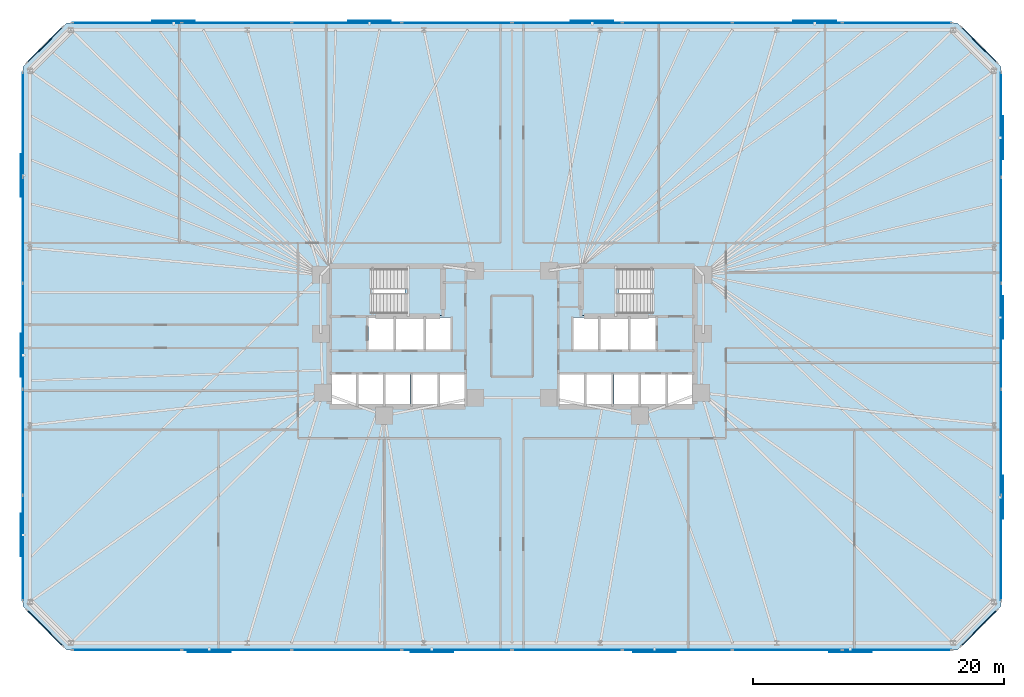
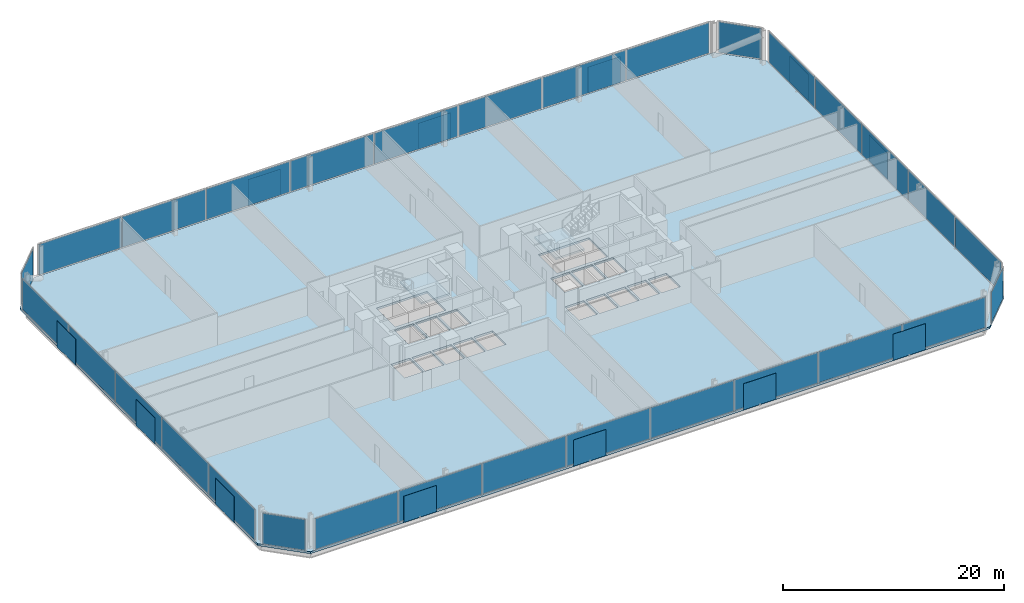
# One storey, part 11 of 17: 44 plates, 3 slabs, 10 elements without a shape of their own.
"""IFC4 building model written with IfcOpenShell, lengths in metres."""

from ifc_helpers import new_model, si_unit, direction, frame, origin, origin_2d, place, context, subcontext, project, spatial, polyline, rectangle, outline, extrude, material, layer, layer_set, type_object, element, aggregate, save


model = new_model("IFC4")

# Units and contexts
model_context = context("Model", 3, precision=1e-05, world=origin(), true_north=direction((0.0, 1.0)))
body_context = subcontext(model_context, "Body", "Model", "MODEL_VIEW")
ifc_project = project(units=[si_unit("LENGTHUNIT", "METRE"), si_unit("AREAUNIT", "SQUARE_METRE"), si_unit("VOLUMEUNIT", "CUBIC_METRE"), si_unit("PLANEANGLEUNIT", "RADIAN"), si_unit("MASSUNIT", "GRAM", prefix="KILO")], contexts=[model_context])

# Site, building, storey
site_placement = place(None, origin())
site = spatial("IfcSite", under=ifc_project, at=site_placement, CompositionType="ELEMENT")
building_placement = place(site_placement, origin())
building = spatial("IfcBuilding", under=site, at=building_placement, Name="Menara Jurai Vektor", CompositionType="ELEMENT")
storey_placement = place(building_placement, frame((0.0, 0.0, 71.199951171875)))
storey = spatial("IfcBuildingStorey", under=building, at=storey_placement, Name="L17", CompositionType="ELEMENT", Elevation=71.199951171875)

# Curtain wall, plates
ifc_material_1 = material(Name="Anodised Pale Aluminium & Low-E Double Glazing", Category="aluminium")
curtain_wall_type = type_object("IfcCurtainWallType", Name="CW-BLK1", PredefinedType="NOTDEFINED", material=ifc_material_1)
curtain_wall_1_placement = place(storey_placement, origin())
curtain_wall_1 = element("IfcCurtainWall", 1, at=curtain_wall_1_placement, inside=storey, type_object=curtain_wall_type, Name="Unitised Curtain Wall L17 F01", PredefinedType="NOTDEFINED")
ifc_material_2 = material(Name="Low-E Solar-Control Double Glazed Unit", Category="glass")
ifc_layer_1 = layer(ifc_material_2, 0.035888671875)
ifc_layer_set_1 = layer_set([ifc_layer_1], Name="Low-E Solar-Control Double Glazed Unit")
plate_type_1 = type_object("IfcPlateType", Name="CW-BLK1-PNL", PredefinedType="CURTAIN_PANEL", material=ifc_layer_set_1)
plate_1_placement = place(storey_placement, frame((-30.706298828125, -25.0, 0.09521484375), z_axis=(0.0, 0.0, 1.0), x_axis=(1.0, 0.0, 0.0)))
plate_1 = element("IfcPlate", 2, at=plate_1_placement, type_object=plate_type_1, Name="CW-01 panel 1.1", PredefinedType="CURTAIN_PANEL", context=body_context, shape_type="SweptSolid", body=[
    extrude(rectangle(XDim=8.637451171875, YDim=0.035888671875, at=origin_2d()), origin(), (0.0, 0.0, 1.0), 3.385009765625),
])
plate_2_placement = place(storey_placement, frame((-21.949951171875, -25.0, 0.09521484375), z_axis=(0.0, 0.0, 1.0), x_axis=(1.0, 0.0, 0.0)))
plate_2 = element("IfcPlate", 3, at=plate_2_placement, type_object=plate_type_1, Name="CW-01 panel 2.1", PredefinedType="CURTAIN_PANEL", context=body_context, shape_type="SweptSolid", body=[
    extrude(rectangle(XDim=8.68505859375, YDim=0.035888671875, at=origin_2d()), origin(), (0.0, 0.0, 1.0), 3.385009765625),
])
plate_3_placement = place(storey_placement, frame((-13.169921875, -25.0, 0.09521484375), z_axis=(0.0, 0.0, 1.0), x_axis=(1.0, 0.0, 0.0)))
plate_3 = element("IfcPlate", 4, at=plate_3_placement, type_object=plate_type_1, Name="CW-01 panel 3.1", PredefinedType="CURTAIN_PANEL", context=body_context, shape_type="SweptSolid", body=[
    extrude(rectangle(XDim=8.68505859375, YDim=0.035888671875, at=origin_2d()), origin(), (0.0, 0.0, 1.0), 3.385009765625),
])
plate_4_placement = place(storey_placement, frame((-4.389892578125, -25.0, 0.09521484375), z_axis=(0.0, 0.0, 1.0), x_axis=(1.0, 0.0, 0.0)))
plate_4 = element("IfcPlate", 5, at=plate_4_placement, type_object=plate_type_1, Name="CW-01 panel 4.1", PredefinedType="CURTAIN_PANEL", context=body_context, shape_type="SweptSolid", body=[
    extrude(rectangle(XDim=8.68505859375, YDim=0.035888671875, at=origin_2d()), origin(), (0.0, 0.0, 1.0), 3.385009765625),
])
plate_5_placement = place(storey_placement, frame((4.389892578125, -25.0, 0.09521484375), z_axis=(0.0, 0.0, 1.0), x_axis=(1.0, 0.0, 0.0)))
plate_5 = element("IfcPlate", 6, at=plate_5_placement, type_object=plate_type_1, Name="CW-01 panel 5.1", PredefinedType="CURTAIN_PANEL", context=body_context, shape_type="SweptSolid", body=[
    extrude(rectangle(XDim=8.68505859375, YDim=0.035888671875, at=origin_2d()), origin(), (0.0, 0.0, 1.0), 3.385009765625),
])
plate_6_placement = place(storey_placement, frame((13.169921875, -25.0, 0.09521484375), z_axis=(0.0, 0.0, 1.0), x_axis=(1.0, 0.0, 0.0)))
plate_6 = element("IfcPlate", 7, at=plate_6_placement, type_object=plate_type_1, Name="CW-01 panel 6.1", PredefinedType="CURTAIN_PANEL", context=body_context, shape_type="SweptSolid", body=[
    extrude(rectangle(XDim=8.68505859375, YDim=0.035888671875, at=origin_2d()), origin(), (0.0, 0.0, 1.0), 3.385009765625),
])
plate_7_placement = place(storey_placement, frame((21.949951171875, -25.0, 0.09521484375), z_axis=(0.0, 0.0, 1.0), x_axis=(1.0, 0.0, 0.0)))
plate_7 = element("IfcPlate", 8, at=plate_7_placement, type_object=plate_type_1, Name="CW-01 panel 7.1", PredefinedType="CURTAIN_PANEL", context=body_context, shape_type="SweptSolid", body=[
    extrude(rectangle(XDim=8.68505859375, YDim=0.035888671875, at=origin_2d()), origin(), (0.0, 0.0, 1.0), 3.385009765625),
])
plate_8_placement = place(storey_placement, frame((30.706298828125, -25.0, 0.09521484375), z_axis=(0.0, 0.0, 1.0), x_axis=(1.0, 0.0, 0.0)))
plate_8 = element("IfcPlate", 9, at=plate_8_placement, type_object=plate_type_1, Name="CW-01 panel 8.1", PredefinedType="CURTAIN_PANEL", context=body_context, shape_type="SweptSolid", body=[
    extrude(rectangle(XDim=8.637451171875, YDim=0.035888671875, at=origin_2d()), origin(), (0.0, 0.0, 1.0), 3.385009765625),
])
aggregate(curtain_wall_1, [plate_1, plate_2, plate_3, plate_4, plate_5, plate_6, plate_7, plate_8])

curtain_wall_2_placement = place(storey_placement, origin())
curtain_wall_2 = element("IfcCurtainWall", 10, at=curtain_wall_2_placement, inside=storey, type_object=curtain_wall_type, Name="Unitised Curtain Wall L17 F03", PredefinedType="NOTDEFINED")
plate_9_placement = place(storey_placement, frame((39.0, -16.872314453125, 0.09521484375), z_axis=(0.0, 0.0, 1.0), x_axis=(0.0, 1.0, 0.0)))
plate_9 = element("IfcPlate", 11, at=plate_9_placement, type_object=plate_type_1, Name="CW-01 panel 1.1", PredefinedType="CURTAIN_PANEL", context=body_context, shape_type="SweptSolid", body=[
    extrude(rectangle(XDim=8.305419921875, YDim=0.035888671875, at=origin_2d()), origin(), (0.0, 0.0, 1.0), 3.385009765625),
])
plate_10_placement = place(storey_placement, frame((39.0, -8.447998046875, 0.09521484375), z_axis=(0.0, 0.0, 1.0), x_axis=(0.0, 1.0, 0.0)))
plate_10 = element("IfcPlate", 12, at=plate_10_placement, type_object=plate_type_1, Name="CW-01 panel 2.1", PredefinedType="CURTAIN_PANEL", context=body_context, shape_type="SweptSolid", body=[
    extrude(rectangle(XDim=8.35302734375, YDim=0.035888671875, at=origin_2d()), origin(), (0.0, 0.0, 1.0), 3.385009765625),
])
plate_11_placement = place(storey_placement, frame((39.0, 0.0, 0.09521484375), z_axis=(0.0, 0.0, 1.0), x_axis=(0.0, 1.0, 0.0)))
plate_11 = element("IfcPlate", 13, at=plate_11_placement, type_object=plate_type_1, Name="CW-01 panel 3.1", PredefinedType="CURTAIN_PANEL", context=body_context, shape_type="SweptSolid", body=[
    extrude(rectangle(XDim=8.35302734375, YDim=0.035888671875, at=origin_2d()), origin(), (0.0, 0.0, 1.0), 3.385009765625),
])
plate_12_placement = place(storey_placement, frame((39.0, 8.447998046875, 0.09521484375), z_axis=(0.0, 0.0, 1.0), x_axis=(0.0, 1.0, 0.0)))
plate_12 = element("IfcPlate", 14, at=plate_12_placement, type_object=plate_type_1, Name="CW-01 panel 4.1", PredefinedType="CURTAIN_PANEL", context=body_context, shape_type="SweptSolid", body=[
    extrude(rectangle(XDim=8.35302734375, YDim=0.035888671875, at=origin_2d()), origin(), (0.0, 0.0, 1.0), 3.385009765625),
])
plate_13_placement = place(storey_placement, frame((39.0, 16.872314453125, 0.09521484375), z_axis=(0.0, 0.0, 1.0), x_axis=(0.0, 1.0, 0.0)))
plate_13 = element("IfcPlate", 15, at=plate_13_placement, type_object=plate_type_1, Name="CW-01 panel 5.1", PredefinedType="CURTAIN_PANEL", context=body_context, shape_type="SweptSolid", body=[
    extrude(rectangle(XDim=8.305419921875, YDim=0.035888671875, at=origin_2d()), origin(), (0.0, 0.0, 1.0), 3.385009765625),
])
aggregate(curtain_wall_2, [plate_9, plate_10, plate_11, plate_12, plate_13])

curtain_wall_3_placement = place(storey_placement, origin())
curtain_wall_3 = element("IfcCurtainWall", 16, at=curtain_wall_3_placement, inside=storey, type_object=curtain_wall_type, Name="Unitised Curtain Wall L17 F05", PredefinedType="NOTDEFINED")
plate_14_placement = place(storey_placement, frame((30.706298828125, 25.0, 0.09521484375), z_axis=(0.0, 0.0, 1.0), x_axis=(-1.0, 0.0, 0.0)))
plate_14 = element("IfcPlate", 17, at=plate_14_placement, type_object=plate_type_1, Name="CW-01 panel 1.1", PredefinedType="CURTAIN_PANEL", context=body_context, shape_type="SweptSolid", body=[
    extrude(rectangle(XDim=8.637451171875, YDim=0.035888671875, at=origin_2d()), origin(), (0.0, 0.0, 1.0), 3.385009765625),
])
plate_15_placement = place(storey_placement, frame((21.949951171875, 25.0, 0.09521484375), z_axis=(0.0, 0.0, 1.0), x_axis=(-1.0, 0.0, 0.0)))
plate_15 = element("IfcPlate", 18, at=plate_15_placement, type_object=plate_type_1, Name="CW-01 panel 2.1", PredefinedType="CURTAIN_PANEL", context=body_context, shape_type="SweptSolid", body=[
    extrude(rectangle(XDim=8.68505859375, YDim=0.035888671875, at=origin_2d()), origin(), (0.0, 0.0, 1.0), 3.385009765625),
])
plate_16_placement = place(storey_placement, frame((13.169921875, 25.0, 0.09521484375), z_axis=(0.0, 0.0, 1.0), x_axis=(-1.0, 0.0, 0.0)))
plate_16 = element("IfcPlate", 19, at=plate_16_placement, type_object=plate_type_1, Name="CW-01 panel 3.1", PredefinedType="CURTAIN_PANEL", context=body_context, shape_type="SweptSolid", body=[
    extrude(rectangle(XDim=8.68505859375, YDim=0.035888671875, at=origin_2d()), origin(), (0.0, 0.0, 1.0), 3.385009765625),
])
plate_17_placement = place(storey_placement, frame((4.389892578125, 25.0, 0.09521484375), z_axis=(0.0, 0.0, 1.0), x_axis=(-1.0, 0.0, 0.0)))
plate_17 = element("IfcPlate", 20, at=plate_17_placement, type_object=plate_type_1, Name="CW-01 panel 4.1", PredefinedType="CURTAIN_PANEL", context=body_context, shape_type="SweptSolid", body=[
    extrude(rectangle(XDim=8.68505859375, YDim=0.035888671875, at=origin_2d()), origin(), (0.0, 0.0, 1.0), 3.385009765625),
])
plate_18_placement = place(storey_placement, frame((-4.389892578125, 25.0, 0.09521484375), z_axis=(0.0, 0.0, 1.0), x_axis=(-1.0, 0.0, 0.0)))
plate_18 = element("IfcPlate", 21, at=plate_18_placement, type_object=plate_type_1, Name="CW-01 panel 5.1", PredefinedType="CURTAIN_PANEL", context=body_context, shape_type="SweptSolid", body=[
    extrude(rectangle(XDim=8.68505859375, YDim=0.035888671875, at=origin_2d()), origin(), (0.0, 0.0, 1.0), 3.385009765625),
])
plate_19_placement = place(storey_placement, frame((-13.169921875, 25.0, 0.09521484375), z_axis=(0.0, 0.0, 1.0), x_axis=(-1.0, 0.0, 0.0)))
plate_19 = element("IfcPlate", 22, at=plate_19_placement, type_object=plate_type_1, Name="CW-01 panel 6.1", PredefinedType="CURTAIN_PANEL", context=body_context, shape_type="SweptSolid", body=[
    extrude(rectangle(XDim=8.68505859375, YDim=0.035888671875, at=origin_2d()), origin(), (0.0, 0.0, 1.0), 3.385009765625),
])
plate_20_placement = place(storey_placement, frame((-21.949951171875, 25.0, 0.09521484375), z_axis=(0.0, 0.0, 1.0), x_axis=(-1.0, 0.0, 0.0)))
plate_20 = element("IfcPlate", 23, at=plate_20_placement, type_object=plate_type_1, Name="CW-01 panel 7.1", PredefinedType="CURTAIN_PANEL", context=body_context, shape_type="SweptSolid", body=[
    extrude(rectangle(XDim=8.68505859375, YDim=0.035888671875, at=origin_2d()), origin(), (0.0, 0.0, 1.0), 3.385009765625),
])
plate_21_placement = place(storey_placement, frame((-30.706298828125, 25.0, 0.09521484375), z_axis=(0.0, 0.0, 1.0), x_axis=(-1.0, 0.0, 0.0)))
plate_21 = element("IfcPlate", 24, at=plate_21_placement, type_object=plate_type_1, Name="CW-01 panel 8.1", PredefinedType="CURTAIN_PANEL", context=body_context, shape_type="SweptSolid", body=[
    extrude(rectangle(XDim=8.637451171875, YDim=0.035888671875, at=origin_2d()), origin(), (0.0, 0.0, 1.0), 3.385009765625),
])
aggregate(curtain_wall_3, [plate_14, plate_15, plate_16, plate_17, plate_18, plate_19, plate_20, plate_21])

curtain_wall_4_placement = place(storey_placement, origin())
curtain_wall_4 = element("IfcCurtainWall", 25, at=curtain_wall_4_placement, inside=storey, type_object=curtain_wall_type, Name="Unitised Curtain Wall L17 F07", PredefinedType="NOTDEFINED")
plate_22_placement = place(storey_placement, frame((-39.0, 16.872314453125, 0.09521484375), z_axis=(0.0, 0.0, 1.0), x_axis=(0.0, -1.0, 0.0)))
plate_22 = element("IfcPlate", 26, at=plate_22_placement, type_object=plate_type_1, Name="CW-01 panel 1.1", PredefinedType="CURTAIN_PANEL", context=body_context, shape_type="SweptSolid", body=[
    extrude(rectangle(XDim=8.305419921875, YDim=0.035888671875, at=origin_2d()), origin(), (0.0, 0.0, 1.0), 3.385009765625),
])
plate_23_placement = place(storey_placement, frame((-39.0, 8.447998046875, 0.09521484375), z_axis=(0.0, 0.0, 1.0), x_axis=(0.0, -1.0, 0.0)))
plate_23 = element("IfcPlate", 27, at=plate_23_placement, type_object=plate_type_1, Name="CW-01 panel 2.1", PredefinedType="CURTAIN_PANEL", context=body_context, shape_type="SweptSolid", body=[
    extrude(rectangle(XDim=8.35302734375, YDim=0.035888671875, at=origin_2d()), origin(), (0.0, 0.0, 1.0), 3.385009765625),
])
plate_24_placement = place(storey_placement, frame((-39.0, 0.0, 0.09521484375), z_axis=(0.0, 0.0, 1.0), x_axis=(0.0, -1.0, 0.0)))
plate_24 = element("IfcPlate", 28, at=plate_24_placement, type_object=plate_type_1, Name="CW-01 panel 3.1", PredefinedType="CURTAIN_PANEL", context=body_context, shape_type="SweptSolid", body=[
    extrude(rectangle(XDim=8.35302734375, YDim=0.035888671875, at=origin_2d()), origin(), (0.0, 0.0, 1.0), 3.385009765625),
])
plate_25_placement = place(storey_placement, frame((-39.0, -8.447998046875, 0.09521484375), z_axis=(0.0, 0.0, 1.0), x_axis=(0.0, -1.0, 0.0)))
plate_25 = element("IfcPlate", 29, at=plate_25_placement, type_object=plate_type_1, Name="CW-01 panel 4.1", PredefinedType="CURTAIN_PANEL", context=body_context, shape_type="SweptSolid", body=[
    extrude(rectangle(XDim=8.35302734375, YDim=0.035888671875, at=origin_2d()), origin(), (0.0, 0.0, 1.0), 3.385009765625),
])
plate_26_placement = place(storey_placement, frame((-39.0, -16.872314453125, 0.09521484375), z_axis=(0.0, 0.0, 1.0), x_axis=(0.0, -1.0, 0.0)))
plate_26 = element("IfcPlate", 30, at=plate_26_placement, type_object=plate_type_1, Name="CW-01 panel 5.1", PredefinedType="CURTAIN_PANEL", context=body_context, shape_type="SweptSolid", body=[
    extrude(rectangle(XDim=8.305419921875, YDim=0.035888671875, at=origin_2d()), origin(), (0.0, 0.0, 1.0), 3.385009765625),
])
aggregate(curtain_wall_4, [plate_22, plate_23, plate_24, plate_25, plate_26])

# Curtain wall, plate
curtain_wall_5_placement = place(storey_placement, origin())
curtain_wall_5 = element("IfcCurtainWall", 31, at=curtain_wall_5_placement, inside=storey, type_object=curtain_wall_type, Name="Unitised Curtain Wall L17 F02", PredefinedType="NOTDEFINED")
ifc_material_3 = material(Name="Insulated Pale Aluminium Spandrel Panel", Category="aluminium")
ifc_layer_2 = layer(ifc_material_3, 0.06005859375)
ifc_layer_set_2 = layer_set([ifc_layer_2], Name="Insulated Pale Aluminium Spandrel Panel")
plate_type_2 = type_object("IfcPlateType", Name="CW-PNL-SP", PredefinedType="CURTAIN_PANEL", material=ifc_layer_set_2)
plate_27_placement = place(storey_placement, frame((37.25, -23.25, 0.09521484375), z_axis=(0.0, 0.0, 1.0), x_axis=(0.707106781187, 0.707106781187, 0.0)))
plate_27 = element("IfcPlate", 32, at=plate_27_placement, type_object=plate_type_2, Name="CW-01 panel 1.1", PredefinedType="CURTAIN_PANEL", context=body_context, shape_type="SweptSolid", body=[
    extrude(rectangle(XDim=3.999755859375, YDim=0.06005859375, at=origin_2d()), origin(), (0.0, 0.0, 1.0), 3.385009765625),
])
aggregate(curtain_wall_5, [plate_27])

curtain_wall_6_placement = place(storey_placement, origin())
curtain_wall_6 = element("IfcCurtainWall", 33, at=curtain_wall_6_placement, inside=storey, type_object=curtain_wall_type, Name="Unitised Curtain Wall L17 F04", PredefinedType="NOTDEFINED")
plate_28_placement = place(storey_placement, frame((37.25, 23.25, 0.09521484375), z_axis=(0.0, 0.0, 1.0), x_axis=(-0.707106781187, 0.707106781187, 0.0)))
plate_28 = element("IfcPlate", 34, at=plate_28_placement, type_object=plate_type_2, Name="CW-01 panel 1.1", PredefinedType="CURTAIN_PANEL", context=body_context, shape_type="SweptSolid", body=[
    extrude(rectangle(XDim=3.999755859375, YDim=0.06005859375, at=origin_2d()), origin(), (0.0, 0.0, 1.0), 3.385009765625),
])
aggregate(curtain_wall_6, [plate_28])

curtain_wall_7_placement = place(storey_placement, origin())
curtain_wall_7 = element("IfcCurtainWall", 35, at=curtain_wall_7_placement, inside=storey, type_object=curtain_wall_type, Name="Unitised Curtain Wall L17 F06", PredefinedType="NOTDEFINED")
plate_29_placement = place(storey_placement, frame((-37.25, 23.25, 0.09521484375), z_axis=(0.0, 0.0, 1.0), x_axis=(-0.707106781187, -0.707106781187, 0.0)))
plate_29 = element("IfcPlate", 36, at=plate_29_placement, type_object=plate_type_2, Name="CW-01 panel 1.1", PredefinedType="CURTAIN_PANEL", context=body_context, shape_type="SweptSolid", body=[
    extrude(rectangle(XDim=3.999755859375, YDim=0.06005859375, at=origin_2d()), origin(), (0.0, 0.0, 1.0), 3.385009765625),
])
aggregate(curtain_wall_7, [plate_29])

curtain_wall_8_placement = place(storey_placement, origin())
curtain_wall_8 = element("IfcCurtainWall", 37, at=curtain_wall_8_placement, inside=storey, type_object=curtain_wall_type, Name="Unitised Curtain Wall L17 F08", PredefinedType="NOTDEFINED")
plate_30_placement = place(storey_placement, frame((-37.25, -23.25, 0.09521484375), z_axis=(0.0, 0.0, 1.0), x_axis=(0.707106781187, -0.707106781187, 0.0)))
plate_30 = element("IfcPlate", 38, at=plate_30_placement, type_object=plate_type_2, Name="CW-01 panel 1.1", PredefinedType="CURTAIN_PANEL", context=body_context, shape_type="SweptSolid", body=[
    extrude(rectangle(XDim=3.999755859375, YDim=0.06005859375, at=origin_2d()), origin(), (0.0, 0.0, 1.0), 3.385009765625),
])
aggregate(curtain_wall_8, [plate_30])

# Plates
ifc_material_4 = material(Name="Anodised Pale Aluminium Perforated Screen", Category="aluminium")
ifc_layer_3 = layer(ifc_material_4, 0.02392578125)
ifc_layer_set_3 = layer_set([ifc_layer_3], Name="Anodised Pale Aluminium Perforated Screen")
plate_type_3 = type_object("IfcPlateType", Name="ENV-PLT-SCREEN", PredefinedType="USERDEFINED", material=ifc_layer_set_3)
for number, where, z_axis, x_axis, name in (
    (39, (-24.139892578125, -25.159912109375, -0.0498046875), (0.0, 0.0, 1.0), (1.0, 0.0, 0.0), "Perforated Pale-Metal Solar Screen L17-S01"),
    (40, (-6.389892578125, -25.159912109375, -0.0498046875), (0.0, 0.0, 1.0), (1.0, 0.0, 0.0), "Perforated Pale-Metal Solar Screen L17-S02"),
    (41, (11.360107421875, -25.159912109375, -0.0498046875), (0.0, 0.0, 1.0), (1.0, 0.0, 0.0), "Perforated Pale-Metal Solar Screen L17-S03"),
    (42, (26.97998046875, -25.159912109375, -0.0498046875), (0.0, 0.0, 1.0), (1.0, 0.0, 0.0), "Perforated Pale-Metal Solar Screen L17-S04"),
    (43, (39.159912109375, -12.828369140625, -0.0498046875), (0.0, 0.0, 1.0), (0.0, 1.0, 0.0), "Perforated Pale-Metal Solar Screen L17-S05"),
    (44, (39.159912109375, 1.5048828125, -0.0498046875), (0.0, 0.0, 1.0), (0.0, 1.0, 0.0), "Perforated Pale-Metal Solar Screen L17-S06"),
    (45, (39.159912109375, 15.83837890625, -0.0498046875), (0.0, 0.0, 1.0), (0.0, 1.0, 0.0), "Perforated Pale-Metal Solar Screen L17-S07"),
    (46, (24.139892578125, 25.159912109375, -0.0498046875), (0.0, 0.0, 1.0), (-1.0, 0.0, 0.0), "Perforated Pale-Metal Solar Screen L17-S08"),
    (47, (6.389892578125, 25.159912109375, -0.0498046875), (0.0, 0.0, 1.0), (-1.0, 0.0, 0.0), "Perforated Pale-Metal Solar Screen L17-S09"),
    (48, (-11.360107421875, 25.159912109375, -0.0498046875), (0.0, 0.0, 1.0), (-1.0, 0.0, 0.0), "Perforated Pale-Metal Solar Screen L17-S10"),
    (49, (-26.97998046875, 25.159912109375, -0.0498046875), (0.0, 0.0, 1.0), (-1.0, 0.0, 0.0), "Perforated Pale-Metal Solar Screen L17-S11"),
    (50, (-39.159912109375, 12.828369140625, -0.0498046875), (0.0, 0.0, 1.0), (0.0, -1.0, 0.0), "Perforated Pale-Metal Solar Screen L17-S12"),
    (51, (-39.159912109375, -1.5048828125, -0.0498046875), (0.0, 0.0, 1.0), (0.0, -1.0, 0.0), "Perforated Pale-Metal Solar Screen L17-S13"),
    (52, (-39.159912109375, -15.83837890625, -0.0498046875), (0.0, 0.0, 1.0), (0.0, -1.0, 0.0), "Perforated Pale-Metal Solar Screen L17-S14"),
):
    element("IfcPlate", number, at=place(storey_placement, frame(where, z_axis=z_axis, x_axis=x_axis)), inside=storey, type_object=plate_type_3, Name=name, ObjectType="SCREEN", PredefinedType="USERDEFINED", context=body_context, shape_type="SweptSolid", body=[
        extrude(rectangle(XDim=3.39990234375, YDim=0.02392578125, at=origin_2d()), origin(), (0.0, 0.0, 1.0), 2.89990234375),
    ])

# Stair, slab
ifc_material_5 = material(Name="Concrete C40/50", Category="concrete")
stair_type = type_object("IfcStairType", Name="STAIR-DOGLEG-1500", PredefinedType="HALF_TURN_STAIR", material=ifc_material_5)
stair_1_placement = place(storey_placement, origin())
stair_1 = element("IfcStair", 53, at=stair_1_placement, inside=storey, type_object=stair_type, Name="Protected Exit Stair ST1 L17", PredefinedType="HALF_TURN_STAIR")
ifc_layer_4 = layer(ifc_material_5, 0.199951171875)
ifc_layer_set_4 = layer_set([ifc_layer_4], Name="Concrete C40/50")
slab_type_1 = type_object("IfcSlabType", Name="STAIR-LANDING-200", PredefinedType="LANDING", material=ifc_layer_set_4)
slab_1_placement = place(storey_placement, frame((0.0, 0.0, 1.699951171875)))
slab_1 = element("IfcSlab", 54, at=slab_1_placement, type_object=slab_type_1, Name="ST1 landing 1", PredefinedType="LANDING", context=body_context, shape_type="SweptSolid", body=[
    extrude(outline(polyline([(-8.52001953125, 1.64990234375), (-5.550048828125, 1.64990234375), (-5.550048828125, 5.550048828125), (-8.52001953125, 5.550048828125), (-8.52001953125, 1.64990234375)])), origin(), (0.0, 0.0, 1.0), 0.2001953125),
])
aggregate(stair_1, [slab_1])

stair_2_placement = place(storey_placement, origin())
stair_2 = element("IfcStair", 55, at=stair_2_placement, inside=storey, type_object=stair_type, Name="Protected Exit Stair ST2 L17", PredefinedType="HALF_TURN_STAIR")
slab_2_placement = place(storey_placement, frame((0.0, 0.0, 1.699951171875)))
slab_2 = element("IfcSlab", 56, at=slab_2_placement, type_object=slab_type_1, Name="ST2 landing 1", PredefinedType="LANDING", context=body_context, shape_type="SweptSolid", body=[
    extrude(outline(polyline([(5.550048828125, 1.64990234375), (8.52001953125, 1.64990234375), (8.52001953125, 5.550048828125), (5.550048828125, 5.550048828125), (5.550048828125, 1.64990234375)])), origin(), (0.0, 0.0, 1.0), 0.2001953125),
])
aggregate(stair_2, [slab_2])

# Slab
ifc_layer_5 = layer(ifc_material_5, 0.22509765625)
ifc_layer_set_5 = layer_set([ifc_layer_5], Name="Concrete C40/50")
slab_type_2 = type_object("IfcSlabType", Name="STR-SLAB-TYP200", PredefinedType="FLOOR", material=ifc_layer_set_5)
slab_3_placement = place(storey_placement, frame((0.0, 0.0, -0.224853515625)))
element("IfcSlab", 57, at=slab_3_placement, inside=storey, type_object=slab_type_2, Name="Composite Floor Slab L17", PredefinedType="FLOOR", context=body_context, shape_type="SweptSolid", body=[
    extrude(outline(polyline([(-35.5, -25.0), (35.5, -25.0), (39.0, -21.5), (39.0, 21.5), (35.5, 25.0), (-35.5, 25.0), (-39.0, 21.5), (-39.0, -21.5), (-35.5, -25.0)]), holes=[polyline([(-11.10009765625, 1.89990234375), (-11.10009765625, 5.300048828125), (-5.800048828125, 5.300048828125), (-5.800048828125, 1.89990234375), (-11.10009765625, 1.89990234375)]), polyline([(5.800048828125, 1.89990234375), (5.800048828125, 5.300048828125), (11.10009765625, 5.300048828125), (11.10009765625, 1.89990234375), (5.800048828125, 1.89990234375)]), polyline([(-11.449951171875, -1.050048828125), (-11.449951171875, 1.5), (-9.449951171875, 1.5), (-9.449951171875, -1.050048828125), (-11.449951171875, -1.050048828125)]), polyline([(9.449951171875, -1.050048828125), (9.449951171875, 1.5), (11.449951171875, 1.5), (11.449951171875, -1.050048828125), (9.449951171875, -1.050048828125)]), polyline([(-5.760009765625, -5.5), (-5.760009765625, -3.050048828125), (-3.800048828125, -3.050048828125), (-3.800048828125, -5.5), (-5.760009765625, -5.5)]), polyline([(-6.85009765625, -1.050048828125), (-6.85009765625, 1.5), (-4.889892578125, 1.5), (-4.889892578125, -1.050048828125), (-6.85009765625, -1.050048828125)]), polyline([(3.800048828125, -5.5), (3.800048828125, -3.050048828125), (5.760009765625, -3.050048828125), (5.760009765625, -5.5), (3.800048828125, -5.5)]), polyline([(4.889892578125, -1.050048828125), (4.889892578125, 1.5), (6.85009765625, 1.5), (6.85009765625, -1.050048828125), (4.889892578125, -1.050048828125)]), polyline([(-14.39990234375, -5.5), (-14.39990234375, -3.050048828125), (-12.43994140625, -3.050048828125), (-12.43994140625, -5.5), (-14.39990234375, -5.5)]), polyline([(-12.239990234375, -5.5), (-12.239990234375, -3.050048828125), (-10.280029296875, -3.050048828125), (-10.280029296875, -5.5), (-12.239990234375, -5.5)]), polyline([(10.280029296875, -5.5), (10.280029296875, -3.050048828125), (12.239990234375, -3.050048828125), (12.239990234375, -5.5), (10.280029296875, -5.5)]), polyline([(12.43994140625, -5.5), (12.43994140625, -3.050048828125), (14.39990234375, -3.050048828125), (14.39990234375, -5.5), (12.43994140625, -5.5)]), polyline([(-10.080078125, -5.5), (-10.080078125, -3.050048828125), (-8.1201171875, -3.050048828125), (-8.1201171875, -5.5), (-10.080078125, -5.5)]), polyline([(-7.919921875, -5.5), (-7.919921875, -3.050048828125), (-5.9599609375, -3.050048828125), (-5.9599609375, -5.5), (-7.919921875, -5.5)]), polyline([(5.9599609375, -5.5), (5.9599609375, -3.050048828125), (7.919921875, -3.050048828125), (7.919921875, -5.5), (5.9599609375, -5.5)]), polyline([(8.1201171875, -5.5), (8.1201171875, -3.050048828125), (10.080078125, -3.050048828125), (10.080078125, -5.5), (8.1201171875, -5.5)]), polyline([(-9.25, -1.050048828125), (-9.25, 1.5), (-7.050048828125, 1.5), (-7.050048828125, -1.050048828125), (-9.25, -1.050048828125)]), polyline([(7.050048828125, -1.050048828125), (7.050048828125, 1.5), (9.25, 1.5), (9.25, -1.050048828125), (7.050048828125, -1.050048828125)])]), origin(), (0.0, 0.0, 1.0), 0.224853515625),
])

save(model, "model.ifc")
